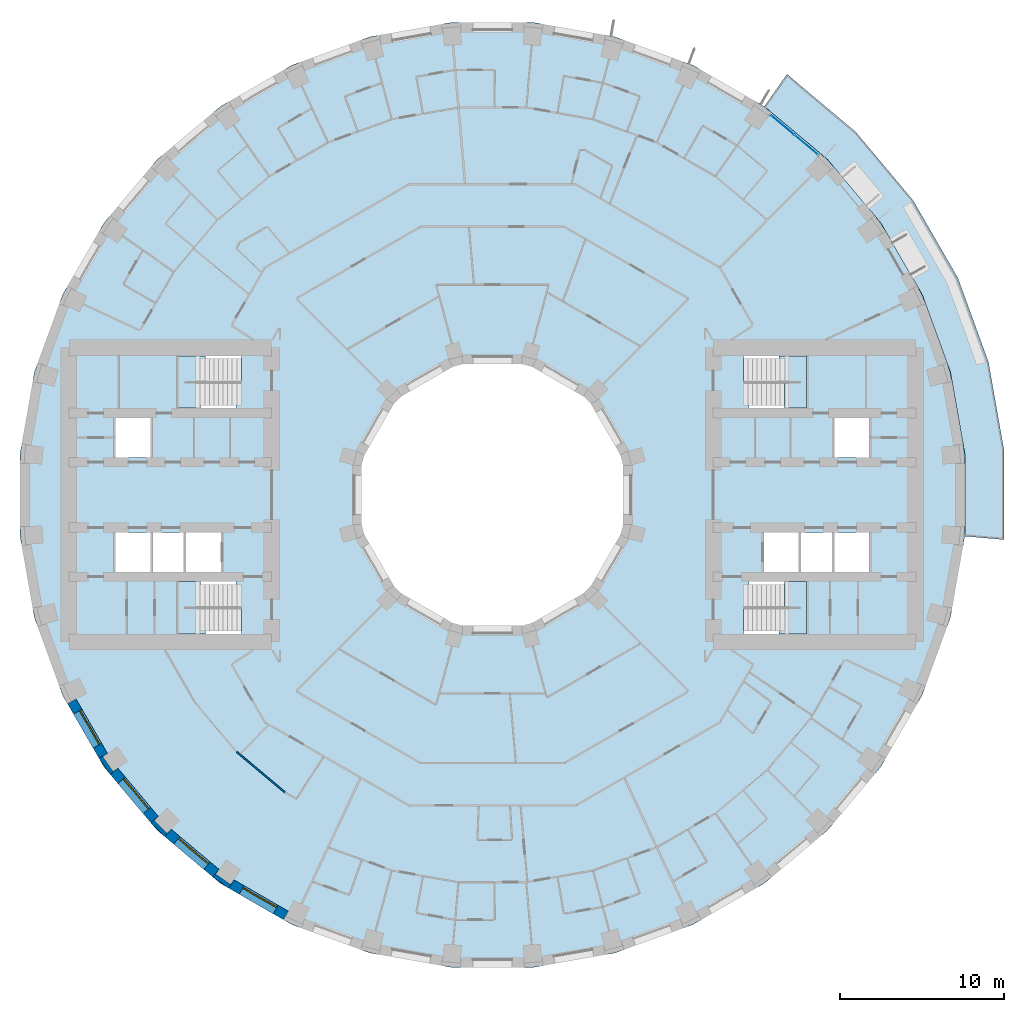
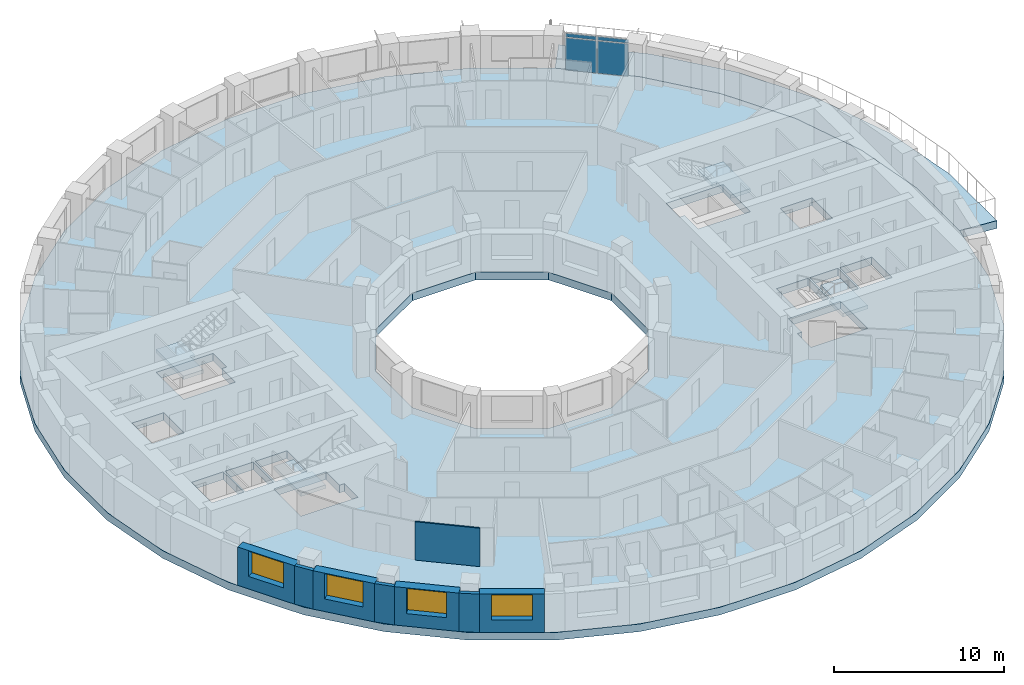
# One storey, part 3 of 15: 8 walls, 6 slabs, 4 plates, 4 windows, 4 openings, 5 elements without a shape of their own.
"""IFC4 building model written with IfcOpenShell, lengths in metres."""

from ifc_helpers import new_model, si_unit, direction, frame, frame_2d, origin, origin_2d, place, context, subcontext, project, spatial, polyline, rectangle, outline, extrude, material, layer, layer_set, type_object, element, fill, aggregate, save


model = new_model("IFC4")

# Units and contexts
model_context = context("Model", 3, precision=1e-05, world=origin(), true_north=direction((0.0, 1.0)))
body_context = subcontext(model_context, "Body", "Model", "MODEL_VIEW")
ifc_project = project(units=[si_unit("LENGTHUNIT", "METRE"), si_unit("AREAUNIT", "SQUARE_METRE"), si_unit("VOLUMEUNIT", "CUBIC_METRE"), si_unit("PLANEANGLEUNIT", "RADIAN"), si_unit("MASSUNIT", "GRAM", prefix="KILO")], contexts=[model_context])

# Site, building, storey
site_placement = place(None, origin())
site = spatial("IfcSite", under=ifc_project, at=site_placement, CompositionType="ELEMENT")
building_placement = place(site_placement, origin())
building = spatial("IfcBuilding", under=site, at=building_placement, Name="Saqina Gate Tower", CompositionType="ELEMENT")
storey_placement = place(building_placement, frame((0.0, 0.0, 62.60009765625)))
storey = spatial("IfcBuildingStorey", under=building, at=storey_placement, Name="L17", CompositionType="ELEMENT", Elevation=62.60009765625)

# Curtain wall, plates
ifc_material_1 = material(Name="Aluminium glazing", Category="aluminium")
ifc_layer_1 = layer(ifc_material_1, 0.159912109375)
ifc_layer_set_1 = layer_set([ifc_layer_1], Name="CWT-4")
curtain_wall_type = type_object("IfcCurtainWallType", Name="CWT-4", PredefinedType="NOTDEFINED", material=ifc_layer_set_1)
curtain_wall_placement = place(storey_placement, origin())
curtain_wall = element("IfcCurtainWall", 1, at=curtain_wall_placement, inside=storey, type_object=curtain_wall_type, Name="Terrace lounge glazing facet 5", PredefinedType="NOTDEFINED")
ifc_material_2 = material(Name="Glass", Category="glass")
ifc_layer_2 = layer(ifc_material_2, 0.028076171875)
ifc_layer_set_2 = layer_set([ifc_layer_2], Name="CWT-4P")
plate_type = type_object("IfcPlateType", Name="CWT-4P", PredefinedType="CURTAIN_PANEL", material=ifc_layer_set_2)
plate_1_placement = place(storey_placement, frame((19.198486328125, 21.407470703125, 0.059814453125), z_axis=(0.0, 0.0, 1.0), x_axis=(-0.766040784332, 0.642791970033, 0.0)))
plate_1 = element("IfcPlate", 2, at=plate_1_placement, type_object=plate_type, Name="CW4-05 panel 1.1", PredefinedType="CURTAIN_PANEL", context=body_context, shape_type="SweptSolid", body=[
    extrude(rectangle(XDim=1.8330078125, YDim=0.028076171875, at=origin_2d()), origin(), (0.0, 0.0, 1.0), 2.31005859375),
])
plate_2_placement = place(storey_placement, frame((19.198486328125, 21.407470703125, 2.4296875), z_axis=(0.0, 0.0, 1.0), x_axis=(-0.766040784332, 0.642791970033, 0.0)))
plate_2 = element("IfcPlate", 3, at=plate_2_placement, type_object=plate_type, Name="CW4-05 panel 1.2", PredefinedType="CURTAIN_PANEL", context=body_context, shape_type="SweptSolid", body=[
    extrude(rectangle(XDim=1.8330078125, YDim=0.028076171875, at=origin_2d()), origin(), (0.0, 0.0, 1.0), 0.260009765625),
])
plate_3_placement = place(storey_placement, frame((17.74853515625, 22.624267578125, 0.059814453125), z_axis=(0.0, 0.0, 1.0), x_axis=(-0.766040784332, 0.642791970033, 0.0)))
plate_3 = element("IfcPlate", 4, at=plate_3_placement, type_object=plate_type, Name="CW4-05 panel 2.1", PredefinedType="CURTAIN_PANEL", context=body_context, shape_type="SweptSolid", body=[
    extrude(rectangle(XDim=1.8330078125, YDim=0.028076171875, at=origin_2d()), origin(), (0.0, 0.0, 1.0), 2.31005859375),
])
plate_4_placement = place(storey_placement, frame((17.74853515625, 22.624267578125, 2.4296875), z_axis=(0.0, 0.0, 1.0), x_axis=(-0.766040784332, 0.642791970033, 0.0)))
plate_4 = element("IfcPlate", 5, at=plate_4_placement, type_object=plate_type, Name="CW4-05 panel 2.2", PredefinedType="CURTAIN_PANEL", context=body_context, shape_type="SweptSolid", body=[
    extrude(rectangle(XDim=1.8330078125, YDim=0.028076171875, at=origin_2d()), origin(), (0.0, 0.0, 1.0), 0.260009765625),
])
aggregate(curtain_wall, [plate_1, plate_2, plate_3, plate_4])

# Stair, slab
ifc_material_3 = material(Name="Concrete C40/50", Category="concrete")
stair_type = type_object("IfcStairType", Name="EXIT STAIR", PredefinedType="HALF_TURN_STAIR", material=ifc_material_3)
stair_1_placement = place(storey_placement, origin())
stair_1 = element("IfcStair", 6, at=stair_1_placement, inside=storey, type_object=stair_type, Name="EXIT STAIR 1", PredefinedType="HALF_TURN_STAIR")
ifc_material_4 = material(Name="Concrete C40/50", Category="concrete")
ifc_layer_3 = layer(ifc_material_4, 0.25)
ifc_layer_set_3 = layer_set([ifc_layer_3], Name="Concrete C40/50")
slab_type_1 = type_object("IfcSlabType", Name="EXIT STAIR LANDING", PredefinedType="LANDING", material=ifc_layer_set_3)
slab_1_placement = place(storey_placement, frame((0.0, 0.0, 1.39990234375)))
slab_1 = element("IfcSlab", 7, at=slab_1_placement, type_object=slab_type_1, Name="EXIT STAIR 1 LANDING 1", PredefinedType="LANDING", context=body_context, shape_type="SweptSolid", body=[
    extrude(outline(polyline([(19.219970703125, 8.5), (19.219970703125, 5.300048828125), (17.864990234375, 5.300048828125), (17.864990234375, 6.89990234375), (17.534423828125, 6.89990234375), (17.534423828125, 8.5), (17.864990234375, 8.5), (17.8701171875, 8.5), (19.219970703125, 8.5)])), origin(), (0.0, 0.0, 1.0), 0.25),
])
aggregate(stair_1, [slab_1])

stair_2_placement = place(storey_placement, origin())
stair_2 = element("IfcStair", 8, at=stair_2_placement, inside=storey, type_object=stair_type, Name="EXIT STAIR 2", PredefinedType="HALF_TURN_STAIR")
slab_2_placement = place(storey_placement, frame((0.0, 0.0, 1.39990234375)))
slab_2 = element("IfcSlab", 9, at=slab_2_placement, type_object=slab_type_1, Name="EXIT STAIR 2 LANDING 1", PredefinedType="LANDING", context=body_context, shape_type="SweptSolid", body=[
    extrude(outline(polyline([(17.534423828125, -8.5), (17.534423828125, -6.89990234375), (17.864990234375, -6.89990234375), (17.864990234375, -5.300048828125), (19.219970703125, -5.300048828125), (19.219970703125, -8.5), (17.8701171875, -8.5), (17.864990234375, -8.5), (17.534423828125, -8.5)])), origin(), (0.0, 0.0, 1.0), 0.25),
])
aggregate(stair_2, [slab_2])

stair_3_placement = place(storey_placement, origin())
stair_3 = element("IfcStair", 10, at=stair_3_placement, inside=storey, type_object=stair_type, Name="EXIT STAIR 3", PredefinedType="HALF_TURN_STAIR")
slab_3_placement = place(storey_placement, frame((0.0, 0.0, 1.39990234375)))
slab_3 = element("IfcSlab", 11, at=slab_3_placement, type_object=slab_type_1, Name="EXIT STAIR 3 LANDING 1", PredefinedType="LANDING", context=body_context, shape_type="SweptSolid", body=[
    extrude(outline(polyline([(-17.864990234375, 5.300048828125), (-19.219970703125, 5.300048828125), (-19.219970703125, 8.5), (-17.8701171875, 8.5), (-17.864990234375, 8.5), (-17.534423828125, 8.5), (-17.534423828125, 6.89990234375), (-17.864990234375, 6.89990234375), (-17.864990234375, 5.300048828125)])), origin(), (0.0, 0.0, 1.0), 0.25),
])
aggregate(stair_3, [slab_3])

stair_4_placement = place(storey_placement, origin())
stair_4 = element("IfcStair", 12, at=stair_4_placement, inside=storey, type_object=stair_type, Name="EXIT STAIR 4", PredefinedType="HALF_TURN_STAIR")
slab_4_placement = place(storey_placement, frame((0.0, 0.0, 1.39990234375)))
slab_4 = element("IfcSlab", 13, at=slab_4_placement, type_object=slab_type_1, Name="EXIT STAIR 4 LANDING 1", PredefinedType="LANDING", context=body_context, shape_type="SweptSolid", body=[
    extrude(outline(polyline([(-17.534423828125, -6.89990234375), (-17.534423828125, -8.5), (-17.864990234375, -8.5), (-17.8701171875, -8.5), (-19.219970703125, -8.5), (-19.219970703125, -5.300048828125), (-17.864990234375, -5.300048828125), (-17.864990234375, -6.89990234375), (-17.534423828125, -6.89990234375)])), origin(), (0.0, 0.0, 1.0), 0.25),
])
aggregate(stair_4, [slab_4])

# Slabs
ifc_material_5 = material(Name="Concrete C40/50", Category="concrete")
ifc_layer_4 = layer(ifc_material_5, 0.550048828125)
ifc_layer_set_4 = layer_set([ifc_layer_4], Name="Concrete C40/50")
slab_type_2 = type_object("IfcSlabType", Name="STR-POST-TENSIONED FLAT PLATE FLOOR-550", PredefinedType="FLOOR", material=ifc_layer_set_4)
slab_5_placement = place(storey_placement, frame((0.0, 0.0, -0.550048828125)))
element("IfcSlab", 14, at=slab_5_placement, inside=storey, type_object=slab_type_2, Name="L17-SLB01", PredefinedType="FLOOR", context=body_context, shape_type="SweptSolid", body=[
    extrude(outline(polyline([(28.011962890625, -7.505859375), (28.8896484375, -2.527587890625), (28.8896484375, 2.527587890625), (28.011962890625, 7.505859375), (26.282958984375, 12.255859375), (23.75537109375, 16.6337890625), (20.506103515625, 20.506103515625), (16.6337890625, 23.75537109375), (12.255859375, 26.282958984375), (7.505859375, 28.011962890625), (2.527587890625, 28.8896484375), (-2.527587890625, 28.8896484375), (-7.505859375, 28.011962890625), (-12.255859375, 26.282958984375), (-16.6337890625, 23.75537109375), (-20.506103515625, 20.506103515625), (-23.75537109375, 16.6337890625), (-26.282958984375, 12.255859375), (-28.011962890625, 7.505859375), (-28.8896484375, 2.527587890625), (-28.8896484375, -2.527587890625), (-28.011962890625, -7.505859375), (-26.282958984375, -12.255859375), (-23.75537109375, -16.6337890625), (-20.506103515625, -20.506103515625), (-16.6337890625, -23.75537109375), (-12.255859375, -26.282958984375), (-7.505859375, -28.011962890625), (-2.527587890625, -28.8896484375), (2.527587890625, -28.8896484375), (7.505859375, -28.011962890625), (12.255859375, -26.282958984375), (16.6337890625, -23.75537109375), (20.506103515625, -20.506103515625), (23.75537109375, -16.6337890625), (26.282958984375, -12.255859375), (28.011962890625, -7.505859375)]), holes=[polyline([(2.1435546875, 8.0), (5.8564453125, 5.8564453125), (8.0, 2.1435546875), (8.0, -2.1435546875), (5.8564453125, -5.8564453125), (2.1435546875, -8.0), (-2.1435546875, -8.0), (-5.8564453125, -5.8564453125), (-8.0, -2.1435546875), (-8.0, 2.1435546875), (-5.8564453125, 5.8564453125), (-2.1435546875, 8.0), (2.1435546875, 8.0)]), polyline([(-19.219970703125, -8.5), (-19.219970703125, -6.89990234375), (-19.219970703125, -5.300048828125), (-15.685546875, -5.300048828125), (-15.685546875, -6.89990234375), (-15.35498046875, -6.89990234375), (-15.35498046875, -8.5), (-19.219970703125, -8.5)]), polyline([(-20.89990234375, -2.300048828125), (-20.89990234375, -4.699951171875), (-23.06005859375, -4.699951171875), (-23.06005859375, -2.300048828125), (-20.89990234375, -2.300048828125)]), polyline([(-18.8701171875, -2.300048828125), (-18.8701171875, -4.699951171875), (-20.780029296875, -4.699951171875), (-20.780029296875, -2.300048828125), (-18.8701171875, -2.300048828125)]), polyline([(-16.590087890625, -2.300048828125), (-16.590087890625, -4.699951171875), (-18.75, -4.699951171875), (-18.75, -2.300048828125), (-16.590087890625, -2.300048828125)]), polyline([(-20.89990234375, 4.699951171875), (-20.89990234375, 2.300048828125), (-23.06005859375, 2.300048828125), (-23.06005859375, 4.699951171875), (-20.89990234375, 4.699951171875)]), polyline([(-19.219970703125, 6.89990234375), (-19.219970703125, 8.5), (-15.35498046875, 8.5), (-15.35498046875, 6.89990234375), (-15.685546875, 6.89990234375), (-15.685546875, 5.300048828125), (-19.219970703125, 5.300048828125), (-19.219970703125, 6.89990234375)]), polyline([(15.35498046875, -6.89990234375), (15.685546875, -6.89990234375), (15.685546875, -5.300048828125), (19.219970703125, -5.300048828125), (19.219970703125, -6.89990234375), (19.219970703125, -8.5), (15.35498046875, -8.5), (15.35498046875, -6.89990234375)]), polyline([(18.75, -2.300048828125), (18.75, -4.699951171875), (16.590087890625, -4.699951171875), (16.590087890625, -2.300048828125), (18.75, -2.300048828125)]), polyline([(20.780029296875, -2.300048828125), (20.780029296875, -4.699951171875), (18.8701171875, -4.699951171875), (18.8701171875, -2.300048828125), (20.780029296875, -2.300048828125)]), polyline([(23.06005859375, -2.300048828125), (23.06005859375, -4.699951171875), (20.89990234375, -4.699951171875), (20.89990234375, -2.300048828125), (23.06005859375, -2.300048828125)]), polyline([(23.06005859375, 4.699951171875), (23.06005859375, 2.300048828125), (20.89990234375, 2.300048828125), (20.89990234375, 4.699951171875), (23.06005859375, 4.699951171875)]), polyline([(15.685546875, 6.89990234375), (15.35498046875, 6.89990234375), (15.35498046875, 8.5), (19.219970703125, 8.5), (19.219970703125, 6.89990234375), (19.219970703125, 5.300048828125), (15.685546875, 5.300048828125), (15.685546875, 6.89990234375)])]), origin(), (0.0, 0.0, 1.0), 0.550048828125),
])
ifc_material_6 = material(Name="Concrete C40/50", Category="concrete")
ifc_layer_5 = layer(ifc_material_6, 0.550048828125)
ifc_layer_set_5 = layer_set([ifc_layer_5], Name="Concrete C40/50")
slab_type_3 = type_object("IfcSlabType", Name="STR-POST-TENSIONED FLAT PLATE TERRACE-550", PredefinedType="FLOOR", material=ifc_layer_set_5)
slab_6_placement = place(storey_placement, frame((0.0, 0.0, -0.550048828125)))
element("IfcSlab", 15, at=slab_6_placement, inside=storey, type_object=slab_type_3, Name="L17-TRS01", PredefinedType="FLOOR", context=body_context, shape_type="SweptSolid", body=[
    extrude(outline(polyline([(28.8896484375, -2.527587890625), (28.8896484375, 2.527587890625), (28.011962890625, 7.505859375), (26.282958984375, 12.255859375), (23.75537109375, 16.6337890625), (20.506103515625, 20.506103515625), (16.6337890625, 23.75537109375), (18.015625, 25.72900390625), (22.209716796875, 22.209716796875), (25.72900390625, 18.015625), (28.46630859375, 13.274169921875), (30.3388671875, 8.12939453125), (31.28955078125, 2.737548828125), (31.28955078125, -2.737548828125), (28.8896484375, -2.527587890625)])), origin(), (0.0, 0.0, 1.0), 0.550048828125),
])

# Walls
ifc_material_7 = material(Name="Brick masonry (red)", Category="masonry")
wall_type_1 = type_object("IfcWallType", Name="BRICK PIER COPING RED", PredefinedType="SOLIDWALL", material=ifc_material_7)
wall_1_placement = place(storey_placement, origin())
element("IfcWall", 16, at=wall_1_placement, inside=storey, type_object=wall_type_1, Name="Pier cap L17 column 22", PredefinedType="SOLIDWALL", context=body_context, shape_type="SweptSolid", body=[
    extrude(outline(polyline([(-24.0576171875, -16.110107421875), (-23.36669921875, -17.096923828125), (-22.9072265625, -16.711181640625), (-23.194091796875, -16.912109375), (-23.8251953125, -16.010986328125), (-23.5380859375, -15.81005859375), (-24.0576171875, -16.110107421875)])), origin(), (0.0, 0.0, 1.0), 2.75),
])
wall_2_placement = place(storey_placement, origin())
element("IfcWall", 17, at=wall_2_placement, inside=storey, type_object=wall_type_1, Name="Pier cap L17 column 23", PredefinedType="SOLIDWALL", context=body_context, shape_type="SweptSolid", body=[
    extrude(outline(polyline([(-20.04296875, -20.894775390625), (-19.6572265625, -20.43505859375), (-19.905029296875, -20.682861328125), (-20.682861328125, -19.905029296875), (-20.43505859375, -19.6572265625), (-20.894775390625, -20.04296875), (-20.04296875, -20.894775390625)])), origin(), (0.0, 0.0, 1.0), 2.75),
])
wall_3_placement = place(storey_placement, origin())
element("IfcWall", 18, at=wall_3_placement, inside=storey, type_object=wall_type_1, Name="Pier cap L17 column 24", PredefinedType="SOLIDWALL", context=body_context, shape_type="SweptSolid", body=[
    extrude(outline(polyline([(-17.096923828125, -23.36669921875), (-16.110107421875, -24.0576171875), (-15.81005859375, -23.5380859375), (-16.010986328125, -23.8251953125), (-16.912109375, -23.194091796875), (-16.711181640625, -22.9072265625), (-17.096923828125, -23.36669921875)])), origin(), (0.0, 0.0, 1.0), 2.75),
])

# Wall, opening, window
ifc_material_8 = material(Name="Brick masonry (red)", Category="masonry")
ifc_layer_6 = layer(ifc_material_8, 0.60009765625)
ifc_layer_set_6 = layer_set([ifc_layer_6], Name="FW-BRICK-RED")
wall_type_2 = type_object("IfcWallType", Name="FW-BRICK-RED", PredefinedType="SOLIDWALL", material=ifc_layer_set_6)
wall_4_placement = place(storey_placement, frame((-25.720703125, -12.629638671875, 0.0), z_axis=(0.0, 0.0, 1.0), x_axis=(0.499989888488, -0.86603124159, 0.0)))
wall_4 = element("IfcWall", 19, at=wall_4_placement, inside=storey, type_object=wall_type_2, Name="Facade wall L17 facet 21", PredefinedType="SOLIDWALL", context=body_context, shape_type="SweptSolid", body=[
    extrude(rectangle(XDim=3.845703125, YDim=0.60009765625, at=frame_2d((1.9228515625, 0.0))), origin(), (0.0, 0.0, 1.0), 2.75),
])
opening_1_placement = place(wall_4_placement, frame((0.722900390625, 0.0, 0.89990234375)))
opening_1 = element("IfcOpeningElement", 20, at=opening_1_placement, cuts=wall_4, Name="Opening G04-W11", PredefinedType="OPENING", context=body_context, shape_type="SweptSolid", body=[
    extrude(rectangle(XDim=2.39990234375, YDim=1.800048828125, at=frame_2d((1.199951171875, 0.89990234375))), frame((0.0, 0.31201171875, 0.0), z_axis=(0.0, -1.0, 0.0), x_axis=(1.0, 0.0, 0.0)), (0.0, 0.0, 1.0), 0.6240234375),
])
ifc_material_9 = material(Name="Aluminium glazing", Category="aluminium")
window_type = type_object("IfcWindowType", Name="WN-A", PartitioningType="SINGLE_PANEL", PredefinedType="WINDOW", material=ifc_material_9)
window_1_placement = place(opening_1_placement, origin())
window_1 = element("IfcWindow", 21, at=window_1_placement, inside=storey, type_object=window_type, Name="Window L17 facet 21", OverallHeight=1.800048828125, OverallWidth=2.39990234375, PartitioningType="SINGLE_PANEL", PredefinedType="WINDOW", context=body_context, shape_type="SweptSolid", body=[
    extrude(rectangle(XDim=2.39990234375, YDim=1.800048828125, at=frame_2d((1.199951171875, 0.89990234375))), frame((0.0, 0.179931640625, 0.0), z_axis=(0.0, -1.0, 0.0), x_axis=(1.0, 0.0, 0.0)), (0.0, 0.0, 1.0), 0.06005859375),
])
fill(opening_1, window_1)

wall_5_placement = place(storey_placement, frame((-23.136962890625, -16.904052734375, 0.0), z_axis=(0.0, 0.0, 1.0), x_axis=(0.642809392687, -0.766026164483, 0.0)))
wall_5 = element("IfcWall", 22, at=wall_5_placement, inside=storey, type_object=wall_type_2, Name="Facade wall L17 facet 22", PredefinedType="SOLIDWALL", context=body_context, shape_type="SweptSolid", body=[
    extrude(rectangle(XDim=3.845947265625, YDim=0.60009765625, at=frame_2d((1.9228515625, 0.0))), origin(), (0.0, 0.0, 1.0), 2.75),
])
opening_2_placement = place(wall_5_placement, frame((0.722900390625, 0.0, 0.89990234375)))
opening_2 = element("IfcOpeningElement", 23, at=opening_2_placement, cuts=wall_5, Name="Opening G04-W12", PredefinedType="OPENING", context=body_context, shape_type="SweptSolid", body=[
    extrude(rectangle(XDim=2.39990234375, YDim=1.800048828125, at=frame_2d((1.199951171875, 0.89990234375))), frame((0.0, 0.31201171875, 0.0), z_axis=(0.0, -1.0, 0.0), x_axis=(1.0, 0.0, 0.0)), (0.0, 0.0, 1.0), 0.6240234375),
])
window_2_placement = place(opening_2_placement, origin())
window_2 = element("IfcWindow", 24, at=window_2_placement, inside=storey, type_object=window_type, Name="Window L17 facet 22", OverallHeight=1.800048828125, OverallWidth=2.39990234375, PartitioningType="SINGLE_PANEL", PredefinedType="WINDOW", context=body_context, shape_type="SweptSolid", body=[
    extrude(rectangle(XDim=2.39990234375, YDim=1.800048828125, at=frame_2d((1.199951171875, 0.89990234375))), frame((0.0, 0.179931640625, 0.0), z_axis=(0.0, -1.0, 0.0), x_axis=(1.0, 0.0, 0.0)), (0.0, 0.0, 1.0), 0.06005859375),
])
fill(opening_2, window_2)

wall_6_placement = place(storey_placement, frame((-19.85009765625, -20.664794921875, 0.0), z_axis=(0.0, 0.0, 1.0), x_axis=(0.766026164483, -0.642809392687, 0.0)))
wall_6 = element("IfcWall", 25, at=wall_6_placement, inside=storey, type_object=wall_type_2, Name="Facade wall L17 facet 23", PredefinedType="SOLIDWALL", context=body_context, shape_type="SweptSolid", body=[
    extrude(rectangle(XDim=3.845947265625, YDim=0.60009765625, at=frame_2d((1.9228515625, 0.0))), origin(), (0.0, 0.0, 1.0), 2.75),
])
opening_3_placement = place(wall_6_placement, frame((0.722900390625, 0.0, 0.89990234375)))
opening_3 = element("IfcOpeningElement", 26, at=opening_3_placement, cuts=wall_6, Name="Opening G04-W13", PredefinedType="OPENING", context=body_context, shape_type="SweptSolid", body=[
    extrude(rectangle(XDim=2.39990234375, YDim=1.800048828125, at=frame_2d((1.199951171875, 0.89990234375))), frame((0.0, 0.31201171875, 0.0), z_axis=(0.0, -1.0, 0.0), x_axis=(1.0, 0.0, 0.0)), (0.0, 0.0, 1.0), 0.6240234375),
])
window_3_placement = place(opening_3_placement, origin())
window_3 = element("IfcWindow", 27, at=window_3_placement, inside=storey, type_object=window_type, Name="Window L17 facet 23", OverallHeight=1.800048828125, OverallWidth=2.39990234375, PartitioningType="SINGLE_PANEL", PredefinedType="WINDOW", context=body_context, shape_type="SweptSolid", body=[
    extrude(rectangle(XDim=2.39990234375, YDim=1.800048828125, at=frame_2d((1.199951171875, 0.89990234375))), frame((0.0, 0.179931640625, 0.0), z_axis=(0.0, -1.0, 0.0), x_axis=(1.0, 0.0, 0.0)), (0.0, 0.0, 1.0), 0.06005859375),
])
fill(opening_3, window_3)

wall_7_placement = place(storey_placement, frame((-15.960205078125, -23.7978515625, 0.0), z_axis=(0.0, 0.0, 1.0), x_axis=(0.86603124159, -0.499989888488, 0.0)))
wall_7 = element("IfcWall", 28, at=wall_7_placement, inside=storey, type_object=wall_type_2, Name="Facade wall L17 facet 24", PredefinedType="SOLIDWALL", context=body_context, shape_type="SweptSolid", body=[
    extrude(rectangle(XDim=3.845703125, YDim=0.60009765625, at=frame_2d((1.9228515625, 0.0))), origin(), (0.0, 0.0, 1.0), 2.75),
])
opening_4_placement = place(wall_7_placement, frame((0.722900390625, 0.0, 0.89990234375)))
opening_4 = element("IfcOpeningElement", 29, at=opening_4_placement, cuts=wall_7, Name="Opening G04-W14", PredefinedType="OPENING", context=body_context, shape_type="SweptSolid", body=[
    extrude(rectangle(XDim=2.39990234375, YDim=1.800048828125, at=frame_2d((1.199951171875, 0.89990234375))), frame((0.0, 0.31201171875, 0.0), z_axis=(0.0, -1.0, 0.0), x_axis=(1.0, 0.0, 0.0)), (0.0, 0.0, 1.0), 0.6240234375),
])
window_4_placement = place(opening_4_placement, origin())
window_4 = element("IfcWindow", 30, at=window_4_placement, inside=storey, type_object=window_type, Name="Window L17 facet 24", OverallHeight=1.800048828125, OverallWidth=2.39990234375, PartitioningType="SINGLE_PANEL", PredefinedType="WINDOW", context=body_context, shape_type="SweptSolid", body=[
    extrude(rectangle(XDim=2.39990234375, YDim=1.800048828125, at=frame_2d((1.199951171875, 0.89990234375))), frame((0.0, 0.179931640625, 0.0), z_axis=(0.0, -1.0, 0.0), x_axis=(1.0, 0.0, 0.0)), (0.0, 0.0, 1.0), 0.06005859375),
])
fill(opening_4, window_4)

# Wall
ifc_material_10 = material(Name="Gypsum board on steel studs, 100 mm", Category="steel")
ifc_layer_7 = layer(ifc_material_10, 0.10009765625)
ifc_layer_set_7 = layer_set([ifc_layer_7], Name="PARTITION 100")
wall_type_3 = type_object("IfcWallType", Name="PARTITION 100", PredefinedType="PARTITIONING", material=ifc_layer_set_7)
wall_8_placement = place(storey_placement, frame((-15.640625, -15.711181640625, 0.0), z_axis=(0.0, 0.0, 1.0), x_axis=(0.765990912009, -0.642851400185, 0.0)))
element("IfcWall", 31, at=wall_8_placement, inside=storey, type_object=wall_type_3, Name="PARTITION PW3-29", PredefinedType="PARTITIONING", context=body_context, shape_type="SweptSolid", body=[
    extrude(rectangle(XDim=3.8662109375, YDim=0.10009765625, at=frame_2d((1.93310546875, 0.0))), origin(), (0.0, 0.0, 1.0), 2.75),
])

save(model, "model.ifc")
